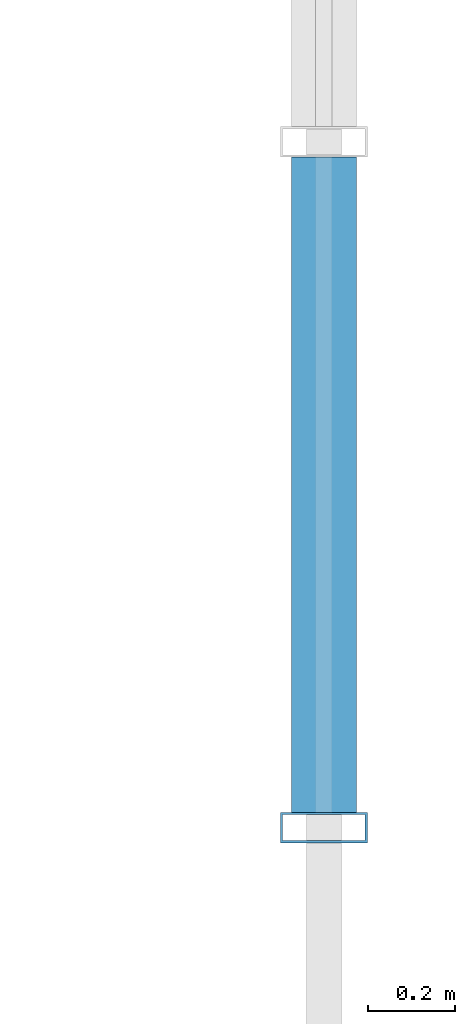
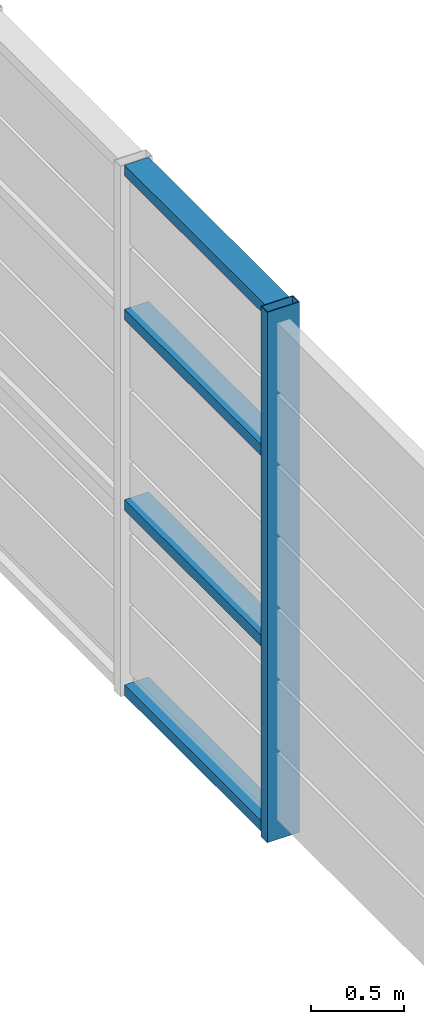
# One storey, part 6 of 21: 5 members, 1 element without a shape of its own.
"""IFC4 building model written with IfcOpenShell, lengths in metres."""

from ifc_helpers import new_model, si_unit, direction, frame, origin, origin_2d, place, context, subcontext, project, spatial, hollow_rectangle, extrude, source, transform, mapped, material, layer, layer_set, material_profile, profile_set, type_object, element, aggregate, save


model = new_model("IFC4")

# Units and contexts
model_context = context("Model", 3, precision=1e-05, world=origin(), true_north=direction((0.0, 1.0)))
body_context = subcontext(model_context, "Body", "Model", "MODEL_VIEW")
ifc_project = project(units=[si_unit("LENGTHUNIT", "METRE"), si_unit("AREAUNIT", "SQUARE_METRE"), si_unit("VOLUMEUNIT", "CUBIC_METRE"), si_unit("PLANEANGLEUNIT", "RADIAN"), si_unit("MASSUNIT", "GRAM", prefix="KILO")], contexts=[model_context])

# Site, building, storey
site_placement = place(None, origin())
site = spatial("IfcSite", under=ifc_project, at=site_placement, CompositionType="ELEMENT")
building_placement = place(site_placement, origin())
building = spatial("IfcBuilding", under=site, at=building_placement, Name="Saelheon Loggia Tower", CompositionType="ELEMENT")
storey_placement = place(building_placement, frame((0.0, 0.0, 267.39990234375)))
storey = spatial("IfcBuildingStorey", under=building, at=storey_placement, Name="CR5", CompositionType="ELEMENT", Elevation=267.39990234375)

# Curtain wall, members
ifc_material_1 = material(Name="Bronze-Anodised Aluminium and Fritted Ceramic Screen", Category="aluminium")
ifc_layer = layer(ifc_material_1, 0.219970703125)
ifc_layer_set = layer_set([ifc_layer], Name="Bronze-Anodised Aluminium and Fritted Ceramic Screen")
curtain_wall_type = type_object("IfcCurtainWallType", Name="CW_CrownScreen", PredefinedType="NOTDEFINED", material=ifc_layer_set)
curtain_wall_placement = place(storey_placement, origin())
curtain_wall = element("IfcCurtainWall", 1, at=curtain_wall_placement, inside=storey, type_object=curtain_wall_type, Name="CR5 Crown Central Screen Curtain Wall 3", PredefinedType="NOTDEFINED")
ifc_material_2 = material(Name="Bronze-Anodised Aluminium 6063-T6", Category="aluminium")
ifc_material_profile_1 = material_profile(ifc_material_2, hollow_rectangle(XDim=0.070068359375, YDim=0.199951171875, WallThickness=0.0048828125, at=origin_2d()), Name="RHS-200x70x5")
ifc_profile_set_1 = profile_set([ifc_material_profile_1], Name="Bronze-Anodised Aluminium 6063-T6")
member_type_1 = type_object("IfcMemberType", Name="CW_CrownScreen_Mullion", PredefinedType="MULLION", material=ifc_profile_set_1)
shared_shape_1 = source(origin(), body_context, "Body", "SweptSolid", [
    extrude(hollow_rectangle(XDim=0.070068359375, YDim=0.199951171875, WallThickness=0.0048828125, at=origin_2d()), origin(), (0.0, 0.0, 1.0), 3.47998046875),
])
member_1_placement = place(storey_placement, frame((52.64990234375, 21.385009765625, 0.0), z_axis=(0.0, 0.0, 1.0), x_axis=(0.0, 1.0, 0.0)))
member_1 = element("IfcMember", 2, at=member_1_placement, type_object=member_type_1, Name="CW6 mullion 1", PredefinedType="MULLION", context=body_context, shape_type="MappedRepresentation", body=[
    mapped(shared_shape_1, transform((0.0, 0.0, 0.0), scale=1.0)),
])
ifc_material_profile_2 = material_profile(ifc_material_2, hollow_rectangle(XDim=0.070068359375, YDim=0.14990234375, WallThickness=0.0048828125, at=origin_2d()), Name="RHS-150x70x5")
ifc_profile_set_2 = profile_set([ifc_material_profile_2], Name="Bronze-Anodised Aluminium 6063-T6")
member_type_2 = type_object("IfcMemberType", Name="CW_CrownScreen_Transom", PredefinedType="USERDEFINED", material=ifc_profile_set_2)
shared_shape_2 = source(origin(), body_context, "Body", "SweptSolid", [
    extrude(hollow_rectangle(XDim=0.070068359375, YDim=0.14990234375, WallThickness=0.0048828125, at=origin_2d()), origin(), (0.0, 0.0, 1.0), 1.50927734375),
])
member_2_placement = place(storey_placement, frame((52.64990234375, 21.419921875, 0.03515625), z_axis=(0.0, 1.0, 0.0), x_axis=(0.0, 0.0, 1.0)))
member_2 = element("IfcMember", 3, at=member_2_placement, type_object=member_type_2, Name="CW6 transom 1.1", ObjectType="TRANSOM", PredefinedType="USERDEFINED", context=body_context, shape_type="MappedRepresentation", body=[
    mapped(shared_shape_2, transform((0.0, 0.0, 0.0), scale=1.0)),
])
member_3_placement = place(storey_placement, frame((52.64990234375, 21.419921875, 1.25), z_axis=(0.0, 1.0, 0.0), x_axis=(0.0, 0.0, 1.0)))
member_3 = element("IfcMember", 4, at=member_3_placement, type_object=member_type_2, Name="CW6 transom 1.2", ObjectType="TRANSOM", PredefinedType="USERDEFINED", context=body_context, shape_type="MappedRepresentation", body=[
    mapped(shared_shape_2, transform((0.0, 0.0, 0.0), scale=1.0)),
])
member_4_placement = place(storey_placement, frame((52.64990234375, 21.419921875, 2.5), z_axis=(0.0, 1.0, 0.0), x_axis=(0.0, 0.0, 1.0)))
member_4 = element("IfcMember", 5, at=member_4_placement, type_object=member_type_2, Name="CW6 transom 1.3", ObjectType="TRANSOM", PredefinedType="USERDEFINED", context=body_context, shape_type="MappedRepresentation", body=[
    mapped(shared_shape_2, transform((0.0, 0.0, 0.0), scale=1.0)),
])
member_5_placement = place(storey_placement, frame((52.64990234375, 21.419921875, 3.445068359375), z_axis=(0.0, 1.0, 0.0), x_axis=(0.0, 0.0, 1.0)))
member_5 = element("IfcMember", 6, at=member_5_placement, type_object=member_type_2, Name="CW6 transom 1.4", ObjectType="TRANSOM", PredefinedType="USERDEFINED", context=body_context, shape_type="MappedRepresentation", body=[
    mapped(shared_shape_2, transform((0.0, 0.0, 0.0), scale=1.0)),
])
aggregate(curtain_wall, [member_1, member_2, member_3, member_4, member_5])

save(model, "model.ifc")
